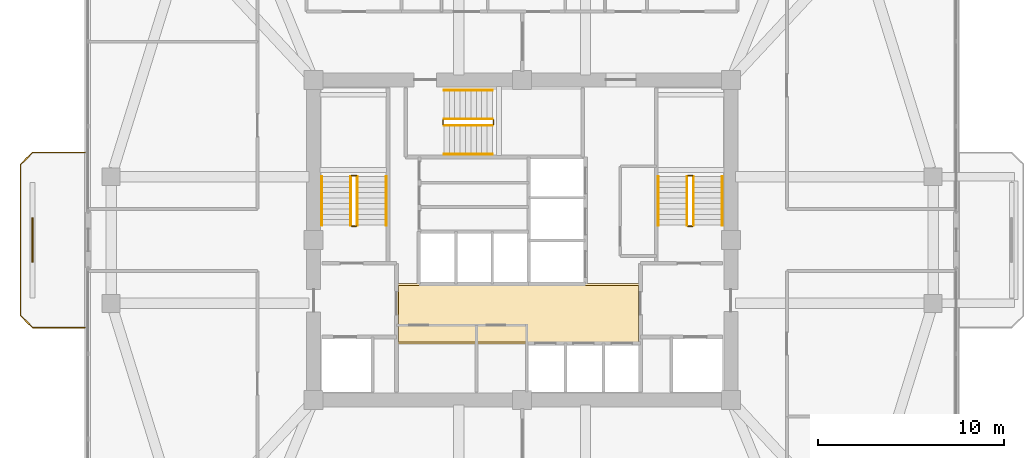
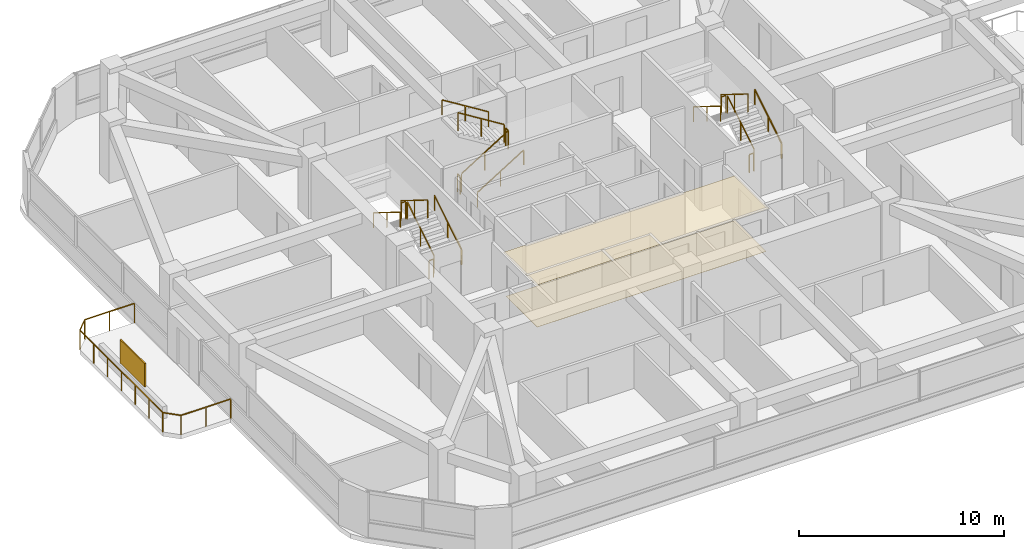
# One storey, part 12 of 13: 19 railings, 2 coverings, 1 shading device.
"""IFC4 building model written with IfcOpenShell, lengths in metres."""

from ifc_helpers import new_model, si_unit, derived_unit, direction, frame, origin, origin_2d, place, context, subcontext, project, spatial, polyline, rectangle, outline, extrude, material, layer, layer_set, type_object, element, save


model = new_model("IFC4")

# Units and contexts
model_context = context("Model", 3, precision=1e-05, world=origin(), true_north=direction((0.0, 1.0)))
body_context = subcontext(model_context, "Body", "Model", "MODEL_VIEW")
ifc_project = project(units=[si_unit("LENGTHUNIT", "METRE"), si_unit("AREAUNIT", "SQUARE_METRE"), si_unit("VOLUMEUNIT", "CUBIC_METRE"), si_unit("PLANEANGLEUNIT", "RADIAN"), si_unit("MASSUNIT", "GRAM", prefix="KILO"), derived_unit("THERMALTRANSMITTANCEUNIT", [(si_unit("POWERUNIT", "WATT"), 1), (si_unit("LENGTHUNIT", "METRE"), -2), (si_unit("THERMODYNAMICTEMPERATUREUNIT", "KELVIN"), -1)])], contexts=[model_context])

# Site, building, storey
site_placement = place(None, origin())
site = spatial("IfcSite", under=ifc_project, at=site_placement, CompositionType="ELEMENT")
building_placement = place(site_placement, origin())
building = spatial("IfcBuilding", under=site, at=building_placement, Name="Koralith Skygarden Medical Center", CompositionType="ELEMENT")
storey_placement = place(building_placement, frame((0.0, 0.0, 142.02001953125)))
storey = spatial("IfcBuildingStorey", under=building, at=storey_placement, Name="L36", CompositionType="ELEMENT", Elevation=142.02001953125)

# Covering
ifc_material_1 = material(Name="Acoustic Mineral Tile")
ifc_layer_1 = layer(ifc_material_1, 0.02001953125)
ifc_layer_set_1 = layer_set([ifc_layer_1], Name="Acoustic Mineral Tile")
covering_type_1 = type_object("IfcCoveringType", Name="Acoustic Hygienic Mineral Ceiling 20", PredefinedType="CEILING", material=ifc_layer_set_1)
covering_1_placement = place(storey_placement, frame((0.0, 0.0, 2.5849609375)))
element("IfcCovering", 1, at=covering_1_placement, inside=storey, type_object=covering_type_1, Name="L36 Core Lobby Acoustic Ceiling", PredefinedType="CEILING", context=body_context, shape_type="SweptSolid", body=[
    extrude(outline(polyline([(30.25, 20.320068359375), (43.35009765625, 20.320068359375), (43.35009765625, 23.56005859375), (30.25, 23.56005859375), (30.25, 20.320068359375)])), origin(), (0.0, 0.0, 1.0), 0.02001953125),
])

# Railing
ifc_material_2 = material(Name="Steel ASTM A500 Grade C", Category="steel")
railing_type_1 = type_object("IfcRailingType", Name="Outdoor Terrace & Balcony Safety Guardrail 1180", PredefinedType="GUARDRAIL", material=ifc_material_2)
railing_1_placement = place(storey_placement, frame((13.51611328125, 21.199951171875, 0.0)))
element("IfcRailing", 2, at=railing_1_placement, inside=storey, type_object=railing_type_1, Name="L36 W Balcony Perimeter Guardrail", PredefinedType="GUARDRAIL", context=body_context, shape_type="SweptSolid", body=[
    extrude(rectangle(XDim=0.050048828125, YDim=0.050048828125, at=origin_2d()), frame((-0.001953125, 0.0, 1.15478515625), z_axis=(-1.0, 0.0, 0.0), x_axis=(0.0, -1.0, 0.0)), (0.0, 0.0, 1.0), 2.796142578125),
    extrude(rectangle(XDim=0.050048828125, YDim=0.050048828125, at=origin_2d()), frame((-2.801513671875, 0.00146484375, 1.15478515625), z_axis=(-0.707106781187, 0.707106781187, 0.0), x_axis=(-0.707106781187, -0.707106781187, 0.0)), (0.0, 0.0, 1.0), 0.91552734375),
    extrude(rectangle(XDim=0.050048828125, YDim=0.050048828125, at=origin_2d()), frame((-3.4501953125, 0.652099609375, 1.15478515625), z_axis=(0.0, 1.0, 0.0), x_axis=(-1.0, 0.0, 0.0)), (0.0, 0.0, 1.0), 8.095947265625),
    extrude(rectangle(XDim=0.050048828125, YDim=0.050048828125, at=origin_2d()), frame((-3.44873046875, 8.75146484375, 1.15478515625), z_axis=(0.707106781187, 0.707106781187, 0.0), x_axis=(-0.707106781187, 0.707106781187, 0.0)), (0.0, 0.0, 1.0), 0.91552734375),
    extrude(rectangle(XDim=0.050048828125, YDim=0.050048828125, at=origin_2d()), frame((-2.798095703125, 9.400146484375, 1.15478515625), z_axis=(1.0, 0.0, 0.0), x_axis=(0.0, 1.0, 0.0)), (0.0, 0.0, 1.0), 2.796142578125),
    extrude(rectangle(XDim=0.0419921875, YDim=0.0419921875, at=origin_2d()), origin(), (0.0, 0.0, 1.0), 1.1279296875),
    extrude(rectangle(XDim=0.0419921875, YDim=0.0419921875, at=origin_2d()), frame((-1.39990234375, 0.0, 0.0)), (0.0, 0.0, 1.0), 1.1279296875),
    extrude(rectangle(XDim=0.0419921875, YDim=0.0419921875, at=origin_2d()), frame((-2.800048828125, 0.0, 0.0)), (0.0, 0.0, 1.0), 1.1279296875),
    extrude(rectangle(XDim=0.0419921875, YDim=0.0419921875, at=origin_2d()), frame((-3.4501953125, 0.650146484375, 0.0)), (0.0, 0.0, 1.0), 1.1279296875),
    extrude(rectangle(XDim=0.0419921875, YDim=0.0419921875, at=origin_2d()), frame((-3.4501953125, 2.0, 0.0)), (0.0, 0.0, 1.0), 1.1279296875),
    extrude(rectangle(XDim=0.0419921875, YDim=0.0419921875, at=origin_2d()), frame((-3.4501953125, 3.35009765625, 0.0)), (0.0, 0.0, 1.0), 1.1279296875),
    extrude(rectangle(XDim=0.0419921875, YDim=0.0419921875, at=origin_2d()), frame((-3.4501953125, 4.7001953125, 0.0)), (0.0, 0.0, 1.0), 1.1279296875),
    extrude(rectangle(XDim=0.0419921875, YDim=0.0419921875, at=origin_2d()), frame((-3.4501953125, 6.050048828125, 0.0)), (0.0, 0.0, 1.0), 1.1279296875),
    extrude(rectangle(XDim=0.0419921875, YDim=0.0419921875, at=origin_2d()), frame((-3.4501953125, 7.39990234375, 0.0)), (0.0, 0.0, 1.0), 1.1279296875),
    extrude(rectangle(XDim=0.0419921875, YDim=0.0419921875, at=origin_2d()), frame((-3.4501953125, 8.75, 0.0)), (0.0, 0.0, 1.0), 1.1279296875),
    extrude(rectangle(XDim=0.0419921875, YDim=0.0419921875, at=origin_2d()), frame((-2.800048828125, 9.400146484375, 0.0)), (0.0, 0.0, 1.0), 1.1279296875),
    extrude(rectangle(XDim=0.0419921875, YDim=0.0419921875, at=origin_2d()), frame((-1.39990234375, 9.400146484375, 0.0)), (0.0, 0.0, 1.0), 1.1279296875),
    extrude(rectangle(XDim=0.0419921875, YDim=0.0419921875, at=origin_2d()), frame((0.0, 9.400146484375, 0.0)), (0.0, 0.0, 1.0), 1.1279296875),
])

# Shading device
ifc_material_3 = material(Name="Aluminium 6063-T6", Category="aluminium")
ifc_layer_2 = layer(ifc_material_3, 0.080078125)
ifc_layer_set_2 = layer_set([ifc_layer_2], Name="Aluminium 6063-T6")
shading_device_type = type_object("IfcShadingDeviceType", Name="Perforated Biophilic Balcony Trellis Screen", PredefinedType="USERDEFINED", material=ifc_layer_set_2)
shading_device_placement = place(storey_placement, frame((10.716064453125, 25.89990234375, 0.719970703125), z_axis=(0.0, 0.0, 1.0), x_axis=(0.0, 1.0, 0.0)))
element("IfcShadingDevice", 3, at=shading_device_placement, inside=storey, type_object=shading_device_type, Name="L36 W Biophilic Balcony Trellis Screen", ObjectType="HURRICANE SCREEN", PredefinedType="USERDEFINED", context=body_context, shape_type="SweptSolid", body=[
    extrude(rectangle(XDim=2.39990234375, YDim=0.080078125, at=origin_2d()), origin(), (0.0, 0.0, 1.0), 1.39990234375),
])

# Covering
ifc_material_4 = material(Name="Medical Terrazzo Flooring")
ifc_layer_3 = layer(ifc_material_4, 0.014892578125)
ifc_layer_set_3 = layer_set([ifc_layer_3], Name="Medical Terrazzo Flooring")
covering_type_2 = type_object("IfcCoveringType", Name="Seamless Antimicrobial Terrazzo Flooring 15", PredefinedType="FLOORING", material=ifc_layer_set_3)
covering_2_placement = place(storey_placement, origin())
element("IfcCovering", 4, at=covering_2_placement, inside=storey, type_object=covering_type_2, Name="L36 Core Lobby Terrazzo Flooring", PredefinedType="FLOORING", context=body_context, shape_type="SweptSolid", body=[
    extrude(outline(polyline([(30.35009765625, 20.419921875), (43.25, 20.419921875), (43.25, 23.4599609375), (30.35009765625, 23.4599609375), (30.35009765625, 20.419921875)])), origin(), (0.0, 0.0, 1.0), 0.014892578125),
])

# Railings
railing_type_2 = type_object("IfcRailingType", Name="Stair Flight Tubular Handrail 920", PredefinedType="HANDRAIL", material=ifc_material_2)
railing_2_placement = place(storey_placement, frame((29.699951171875, 26.699951171875, 0.179931640625)))
element("IfcRailing", 5, at=railing_2_placement, inside=storey, type_object=railing_type_2, Name="L36 ST1 stair handrail 1", PredefinedType="HANDRAIL", context=body_context, shape_type="SweptSolid", body=[
    extrude(rectangle(XDim=0.050048828125, YDim=0.050048828125, at=origin_2d()), frame((0.0, 0.001708984375, 0.89599609375), z_axis=(0.0, 0.849632798774, 0.527374731332), x_axis=(-1.0, 0.0, 0.0)), (0.0, 0.0, 1.0), 3.068115234375),
    extrude(rectangle(XDim=0.0419921875, YDim=0.0419921875, at=origin_2d()), origin(), (0.0, 0.0, 1.0), 0.867919921875),
    extrude(rectangle(XDim=0.0419921875, YDim=0.0419921875, at=origin_2d()), frame((0.0, 1.30517578125, 0.81005859375)), (0.0, 0.0, 1.0), 0.867919921875),
    extrude(rectangle(XDim=0.0419921875, YDim=0.0419921875, at=origin_2d()), frame((0.0, 2.610107421875, 1.6201171875)), (0.0, 0.0, 1.0), 0.867919921875),
])
railing_3_placement = place(storey_placement, frame((26.25, 29.31005859375, 1.97998046875)))
element("IfcRailing", 6, at=railing_3_placement, inside=storey, type_object=railing_type_2, Name="L36 ST1 stair handrail 2", PredefinedType="HANDRAIL", context=body_context, shape_type="SweptSolid", body=[
    extrude(rectangle(XDim=0.050048828125, YDim=0.050048828125, at=origin_2d()), frame((0.0, -0.001708984375, 0.89599609375), z_axis=(0.0, -0.849632798774, 0.527374731332), x_axis=(1.0, 0.0, 0.0)), (0.0, 0.0, 1.0), 3.068115234375),
    extrude(rectangle(XDim=0.0419921875, YDim=0.0419921875, at=origin_2d()), origin(), (0.0, 0.0, 1.0), 0.867919921875),
    extrude(rectangle(XDim=0.0419921875, YDim=0.0419921875, at=origin_2d()), frame((0.0, -1.30517578125, 0.81005859375)), (0.0, 0.0, 1.0), 0.867919921875),
    extrude(rectangle(XDim=0.0419921875, YDim=0.0419921875, at=origin_2d()), frame((0.0, -2.610107421875, 1.6201171875)), (0.0, 0.0, 1.0), 0.867919921875),
])
railing_4_placement = place(storey_placement, frame((47.75, 26.699951171875, 0.179931640625)))
element("IfcRailing", 7, at=railing_4_placement, inside=storey, type_object=railing_type_2, Name="L36 ST2 stair handrail 1", PredefinedType="HANDRAIL", context=body_context, shape_type="SweptSolid", body=[
    extrude(rectangle(XDim=0.050048828125, YDim=0.050048828125, at=origin_2d()), frame((0.0, 0.001708984375, 0.89599609375), z_axis=(0.0, 0.849632798774, 0.527374731332), x_axis=(-1.0, 0.0, 0.0)), (0.0, 0.0, 1.0), 3.068115234375),
    extrude(rectangle(XDim=0.0419921875, YDim=0.0419921875, at=origin_2d()), origin(), (0.0, 0.0, 1.0), 0.867919921875),
    extrude(rectangle(XDim=0.0419921875, YDim=0.0419921875, at=origin_2d()), frame((0.0, 1.30517578125, 0.81005859375)), (0.0, 0.0, 1.0), 0.867919921875),
    extrude(rectangle(XDim=0.0419921875, YDim=0.0419921875, at=origin_2d()), frame((0.0, 2.610107421875, 1.6201171875)), (0.0, 0.0, 1.0), 0.867919921875),
])
railing_5_placement = place(storey_placement, frame((44.300048828125, 29.31005859375, 1.97998046875)))
element("IfcRailing", 8, at=railing_5_placement, inside=storey, type_object=railing_type_2, Name="L36 ST2 stair handrail 2", PredefinedType="HANDRAIL", context=body_context, shape_type="SweptSolid", body=[
    extrude(rectangle(XDim=0.050048828125, YDim=0.050048828125, at=origin_2d()), frame((0.0, -0.001708984375, 0.89599609375), z_axis=(0.0, -0.849632798774, 0.527374731332), x_axis=(1.0, 0.0, 0.0)), (0.0, 0.0, 1.0), 3.068115234375),
    extrude(rectangle(XDim=0.0419921875, YDim=0.0419921875, at=origin_2d()), origin(), (0.0, 0.0, 1.0), 0.867919921875),
    extrude(rectangle(XDim=0.0419921875, YDim=0.0419921875, at=origin_2d()), frame((0.0, -1.30517578125, 0.81005859375)), (0.0, 0.0, 1.0), 0.867919921875),
    extrude(rectangle(XDim=0.0419921875, YDim=0.0419921875, at=origin_2d()), frame((0.0, -2.610107421875, 1.6201171875)), (0.0, 0.0, 1.0), 0.867919921875),
])
railing_6_placement = place(storey_placement, frame((32.800048828125, 30.5, 0.179931640625)))
element("IfcRailing", 9, at=railing_6_placement, inside=storey, type_object=railing_type_2, Name="L36 ST3 stair handrail 1", PredefinedType="HANDRAIL", context=body_context, shape_type="SweptSolid", body=[
    extrude(rectangle(XDim=0.050048828125, YDim=0.050048828125, at=origin_2d()), frame((0.001708984375, 0.0, 0.89599609375), z_axis=(0.849610693518, 0.0, 0.52741034258), x_axis=(0.0, 1.0, 0.0)), (0.0, 0.0, 1.0), 3.06787109375),
    extrude(rectangle(XDim=0.0419921875, YDim=0.0419921875, at=origin_2d()), origin(), (0.0, 0.0, 1.0), 0.867919921875),
    extrude(rectangle(XDim=0.0419921875, YDim=0.0419921875, at=origin_2d()), frame((1.304931640625, 0.0, 0.81005859375)), (0.0, 0.0, 1.0), 0.867919921875),
    extrude(rectangle(XDim=0.0419921875, YDim=0.0419921875, at=origin_2d()), frame((2.60986328125, 0.0, 1.6201171875)), (0.0, 0.0, 1.0), 0.867919921875),
])
railing_7_placement = place(storey_placement, frame((35.409912109375, 33.949951171875, 1.97998046875)))
element("IfcRailing", 10, at=railing_7_placement, inside=storey, type_object=railing_type_2, Name="L36 ST3 stair handrail 2", PredefinedType="HANDRAIL", context=body_context, shape_type="SweptSolid", body=[
    extrude(rectangle(XDim=0.050048828125, YDim=0.050048828125, at=origin_2d()), frame((-0.001708984375, 0.0, 0.89599609375), z_axis=(-0.849610693518, 0.0, 0.52741034258), x_axis=(0.0, -1.0, 0.0)), (0.0, 0.0, 1.0), 3.06787109375),
    extrude(rectangle(XDim=0.0419921875, YDim=0.0419921875, at=origin_2d()), origin(), (0.0, 0.0, 1.0), 0.867919921875),
    extrude(rectangle(XDim=0.0419921875, YDim=0.0419921875, at=origin_2d()), frame((-1.304931640625, 0.0, 0.81005859375)), (0.0, 0.0, 1.0), 0.867919921875),
    extrude(rectangle(XDim=0.0419921875, YDim=0.0419921875, at=origin_2d()), frame((-2.60986328125, 0.0, 1.6201171875)), (0.0, 0.0, 1.0), 0.867919921875),
])
railing_type_3 = type_object("IfcRailingType", Name="Stair Well Safety Guardrail 1100", PredefinedType="GUARDRAIL", material=ifc_material_2)
railing_8_placement = place(storey_placement, frame((28.14990234375, 26.699951171875, 0.179931640625)))
element("IfcRailing", 11, at=railing_8_placement, inside=storey, type_object=railing_type_3, Name="L36 ST1 stair guard 1", PredefinedType="GUARDRAIL", context=body_context, shape_type="SweptSolid", body=[
    extrude(rectangle(XDim=0.050048828125, YDim=0.050048828125, at=origin_2d()), frame((0.0, 0.001708984375, 1.076171875), z_axis=(0.0, 0.849632798774, 0.527374731332), x_axis=(-1.0, 0.0, 0.0)), (0.0, 0.0, 1.0), 3.068115234375),
    extrude(rectangle(XDim=0.0419921875, YDim=0.0419921875, at=origin_2d()), origin(), (0.0, 0.0, 1.0), 1.048095703125),
    extrude(rectangle(XDim=0.0419921875, YDim=0.0419921875, at=origin_2d()), frame((0.0, 1.30517578125, 0.81005859375)), (0.0, 0.0, 1.0), 1.048095703125),
    extrude(rectangle(XDim=0.0419921875, YDim=0.0419921875, at=origin_2d()), frame((0.0, 2.610107421875, 1.6201171875)), (0.0, 0.0, 1.0), 1.048095703125),
])
railing_9_placement = place(storey_placement, frame((28.10009765625, 29.360107421875, 1.800048828125)))
element("IfcRailing", 12, at=railing_9_placement, inside=storey, type_object=railing_type_3, Name="L36 ST1 stair guard 2", PredefinedType="GUARDRAIL", context=body_context, shape_type="SweptSolid", body=[
    extrude(rectangle(XDim=0.050048828125, YDim=0.050048828125, at=origin_2d()), frame((-0.001953125, 0.0, 1.0751953125), z_axis=(-1.0, 0.0, 0.0), x_axis=(0.0, -1.0, 0.0)), (0.0, 0.0, 1.0), 0.24609375),
    extrude(rectangle(XDim=0.0419921875, YDim=0.0419921875, at=origin_2d()), origin(), (0.0, 0.0, 1.0), 1.048095703125),
    extrude(rectangle(XDim=0.0419921875, YDim=0.0419921875, at=origin_2d()), frame((-0.25, 0.0, 0.0)), (0.0, 0.0, 1.0), 1.048095703125),
])
railing_10_placement = place(storey_placement, frame((27.800048828125, 29.31005859375, 1.97998046875)))
element("IfcRailing", 13, at=railing_10_placement, inside=storey, type_object=railing_type_3, Name="L36 ST1 stair guard 3", PredefinedType="GUARDRAIL", context=body_context, shape_type="SweptSolid", body=[
    extrude(rectangle(XDim=0.050048828125, YDim=0.050048828125, at=origin_2d()), frame((0.0, -0.001708984375, 1.076171875), z_axis=(0.0, -0.849632798774, 0.527374731332), x_axis=(1.0, 0.0, 0.0)), (0.0, 0.0, 1.0), 3.068115234375),
    extrude(rectangle(XDim=0.0419921875, YDim=0.0419921875, at=origin_2d()), origin(), (0.0, 0.0, 1.0), 1.048095703125),
    extrude(rectangle(XDim=0.0419921875, YDim=0.0419921875, at=origin_2d()), frame((0.0, -1.30517578125, 0.81005859375)), (0.0, 0.0, 1.0), 1.048095703125),
    extrude(rectangle(XDim=0.0419921875, YDim=0.0419921875, at=origin_2d()), frame((0.0, -2.610107421875, 1.6201171875)), (0.0, 0.0, 1.0), 1.048095703125),
])
railing_11_placement = place(storey_placement, frame((28.10009765625, 26.64990234375, 0.0)))
element("IfcRailing", 14, at=railing_11_placement, inside=storey, type_object=railing_type_3, Name="L36 ST1 stair guard 4", PredefinedType="GUARDRAIL", context=body_context, shape_type="SweptSolid", body=[
    extrude(rectangle(XDim=0.050048828125, YDim=0.050048828125, at=origin_2d()), frame((-0.001953125, 0.0, 1.0751953125), z_axis=(-1.0, 0.0, 0.0), x_axis=(0.0, -1.0, 0.0)), (0.0, 0.0, 1.0), 0.24609375),
    extrude(rectangle(XDim=0.0419921875, YDim=0.0419921875, at=origin_2d()), origin(), (0.0, 0.0, 1.0), 1.048095703125),
    extrude(rectangle(XDim=0.0419921875, YDim=0.0419921875, at=origin_2d()), frame((-0.25, 0.0, 0.0)), (0.0, 0.0, 1.0), 1.048095703125),
])
railing_12_placement = place(storey_placement, frame((46.199951171875, 26.699951171875, 0.179931640625)))
element("IfcRailing", 15, at=railing_12_placement, inside=storey, type_object=railing_type_3, Name="L36 ST2 stair guard 1", PredefinedType="GUARDRAIL", context=body_context, shape_type="SweptSolid", body=[
    extrude(rectangle(XDim=0.050048828125, YDim=0.050048828125, at=origin_2d()), frame((0.0, 0.001708984375, 1.076171875), z_axis=(0.0, 0.849632798774, 0.527374731332), x_axis=(-1.0, 0.0, 0.0)), (0.0, 0.0, 1.0), 3.068115234375),
    extrude(rectangle(XDim=0.0419921875, YDim=0.0419921875, at=origin_2d()), origin(), (0.0, 0.0, 1.0), 1.048095703125),
    extrude(rectangle(XDim=0.0419921875, YDim=0.0419921875, at=origin_2d()), frame((0.0, 1.30517578125, 0.81005859375)), (0.0, 0.0, 1.0), 1.048095703125),
    extrude(rectangle(XDim=0.0419921875, YDim=0.0419921875, at=origin_2d()), frame((0.0, 2.610107421875, 1.6201171875)), (0.0, 0.0, 1.0), 1.048095703125),
])
railing_13_placement = place(storey_placement, frame((46.14990234375, 29.360107421875, 1.800048828125)))
element("IfcRailing", 16, at=railing_13_placement, inside=storey, type_object=railing_type_3, Name="L36 ST2 stair guard 2", PredefinedType="GUARDRAIL", context=body_context, shape_type="SweptSolid", body=[
    extrude(rectangle(XDim=0.050048828125, YDim=0.050048828125, at=origin_2d()), frame((-0.001953125, 0.0, 1.0751953125), z_axis=(-1.0, 0.0, 0.0), x_axis=(0.0, -1.0, 0.0)), (0.0, 0.0, 1.0), 0.24609375),
    extrude(rectangle(XDim=0.0419921875, YDim=0.0419921875, at=origin_2d()), origin(), (0.0, 0.0, 1.0), 1.048095703125),
    extrude(rectangle(XDim=0.0419921875, YDim=0.0419921875, at=origin_2d()), frame((-0.25, 0.0, 0.0)), (0.0, 0.0, 1.0), 1.048095703125),
])
railing_14_placement = place(storey_placement, frame((45.85009765625, 29.31005859375, 1.97998046875)))
element("IfcRailing", 17, at=railing_14_placement, inside=storey, type_object=railing_type_3, Name="L36 ST2 stair guard 3", PredefinedType="GUARDRAIL", context=body_context, shape_type="SweptSolid", body=[
    extrude(rectangle(XDim=0.050048828125, YDim=0.050048828125, at=origin_2d()), frame((0.0, -0.001708984375, 1.076171875), z_axis=(0.0, -0.849632798774, 0.527374731332), x_axis=(1.0, 0.0, 0.0)), (0.0, 0.0, 1.0), 3.068115234375),
    extrude(rectangle(XDim=0.0419921875, YDim=0.0419921875, at=origin_2d()), origin(), (0.0, 0.0, 1.0), 1.048095703125),
    extrude(rectangle(XDim=0.0419921875, YDim=0.0419921875, at=origin_2d()), frame((0.0, -1.30517578125, 0.81005859375)), (0.0, 0.0, 1.0), 1.048095703125),
    extrude(rectangle(XDim=0.0419921875, YDim=0.0419921875, at=origin_2d()), frame((0.0, -2.610107421875, 1.6201171875)), (0.0, 0.0, 1.0), 1.048095703125),
])
railing_15_placement = place(storey_placement, frame((46.14990234375, 26.64990234375, 0.0)))
element("IfcRailing", 18, at=railing_15_placement, inside=storey, type_object=railing_type_3, Name="L36 ST2 stair guard 4", PredefinedType="GUARDRAIL", context=body_context, shape_type="SweptSolid", body=[
    extrude(rectangle(XDim=0.050048828125, YDim=0.050048828125, at=origin_2d()), frame((-0.001953125, 0.0, 1.0751953125), z_axis=(-1.0, 0.0, 0.0), x_axis=(0.0, -1.0, 0.0)), (0.0, 0.0, 1.0), 0.24609375),
    extrude(rectangle(XDim=0.0419921875, YDim=0.0419921875, at=origin_2d()), origin(), (0.0, 0.0, 1.0), 1.048095703125),
    extrude(rectangle(XDim=0.0419921875, YDim=0.0419921875, at=origin_2d()), frame((-0.25, 0.0, 0.0)), (0.0, 0.0, 1.0), 1.048095703125),
])
railing_16_placement = place(storey_placement, frame((32.800048828125, 32.050048828125, 0.179931640625)))
element("IfcRailing", 19, at=railing_16_placement, inside=storey, type_object=railing_type_3, Name="L36 ST3 stair guard 1", PredefinedType="GUARDRAIL", context=body_context, shape_type="SweptSolid", body=[
    extrude(rectangle(XDim=0.050048828125, YDim=0.050048828125, at=origin_2d()), frame((0.001708984375, 0.0, 1.076171875), z_axis=(0.849610693518, 0.0, 0.52741034258), x_axis=(0.0, 1.0, 0.0)), (0.0, 0.0, 1.0), 3.06787109375),
    extrude(rectangle(XDim=0.0419921875, YDim=0.0419921875, at=origin_2d()), origin(), (0.0, 0.0, 1.0), 1.048095703125),
    extrude(rectangle(XDim=0.0419921875, YDim=0.0419921875, at=origin_2d()), frame((1.304931640625, 0.0, 0.81005859375)), (0.0, 0.0, 1.0), 1.048095703125),
    extrude(rectangle(XDim=0.0419921875, YDim=0.0419921875, at=origin_2d()), frame((2.60986328125, 0.0, 1.6201171875)), (0.0, 0.0, 1.0), 1.048095703125),
])
railing_17_placement = place(storey_placement, frame((35.4599609375, 32.10009765625, 1.800048828125)))
element("IfcRailing", 20, at=railing_17_placement, inside=storey, type_object=railing_type_3, Name="L36 ST3 stair guard 2", PredefinedType="GUARDRAIL", context=body_context, shape_type="SweptSolid", body=[
    extrude(rectangle(XDim=0.050048828125, YDim=0.050048828125, at=origin_2d()), frame((0.0, 0.001953125, 1.0751953125), z_axis=(0.0, 1.0, 0.0), x_axis=(-1.0, 0.0, 0.0)), (0.0, 0.0, 1.0), 0.24609375),
    extrude(rectangle(XDim=0.0419921875, YDim=0.0419921875, at=origin_2d()), origin(), (0.0, 0.0, 1.0), 1.048095703125),
    extrude(rectangle(XDim=0.0419921875, YDim=0.0419921875, at=origin_2d()), frame((0.0, 0.25, 0.0)), (0.0, 0.0, 1.0), 1.048095703125),
])
railing_18_placement = place(storey_placement, frame((35.409912109375, 32.39990234375, 1.97998046875)))
element("IfcRailing", 21, at=railing_18_placement, inside=storey, type_object=railing_type_3, Name="L36 ST3 stair guard 3", PredefinedType="GUARDRAIL", context=body_context, shape_type="SweptSolid", body=[
    extrude(rectangle(XDim=0.050048828125, YDim=0.050048828125, at=origin_2d()), frame((-0.001708984375, 0.0, 1.076171875), z_axis=(-0.849610693518, 0.0, 0.52741034258), x_axis=(0.0, -1.0, 0.0)), (0.0, 0.0, 1.0), 3.06787109375),
    extrude(rectangle(XDim=0.0419921875, YDim=0.0419921875, at=origin_2d()), origin(), (0.0, 0.0, 1.0), 1.048095703125),
    extrude(rectangle(XDim=0.0419921875, YDim=0.0419921875, at=origin_2d()), frame((-1.304931640625, 0.0, 0.81005859375)), (0.0, 0.0, 1.0), 1.048095703125),
    extrude(rectangle(XDim=0.0419921875, YDim=0.0419921875, at=origin_2d()), frame((-2.60986328125, 0.0, 1.6201171875)), (0.0, 0.0, 1.0), 1.048095703125),
])
railing_19_placement = place(storey_placement, frame((32.75, 32.10009765625, 0.0)))
element("IfcRailing", 22, at=railing_19_placement, inside=storey, type_object=railing_type_3, Name="L36 ST3 stair guard 4", PredefinedType="GUARDRAIL", context=body_context, shape_type="SweptSolid", body=[
    extrude(rectangle(XDim=0.050048828125, YDim=0.050048828125, at=origin_2d()), frame((0.0, 0.001953125, 1.0751953125), z_axis=(0.0, 1.0, 0.0), x_axis=(-1.0, 0.0, 0.0)), (0.0, 0.0, 1.0), 0.24609375),
    extrude(rectangle(XDim=0.0419921875, YDim=0.0419921875, at=origin_2d()), origin(), (0.0, 0.0, 1.0), 1.048095703125),
    extrude(rectangle(XDim=0.0419921875, YDim=0.0419921875, at=origin_2d()), frame((0.0, 0.25, 0.0)), (0.0, 0.0, 1.0), 1.048095703125),
])

save(model, "model.ifc")
